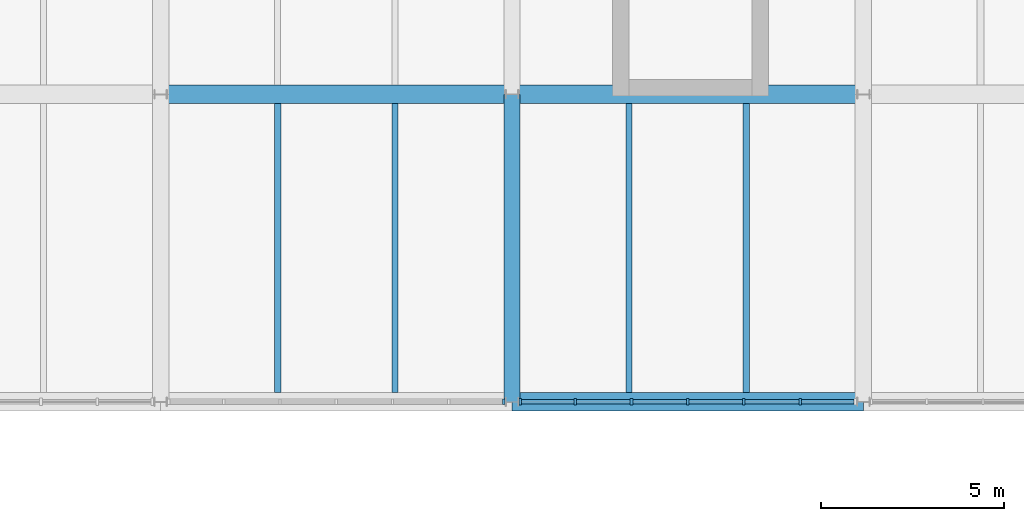
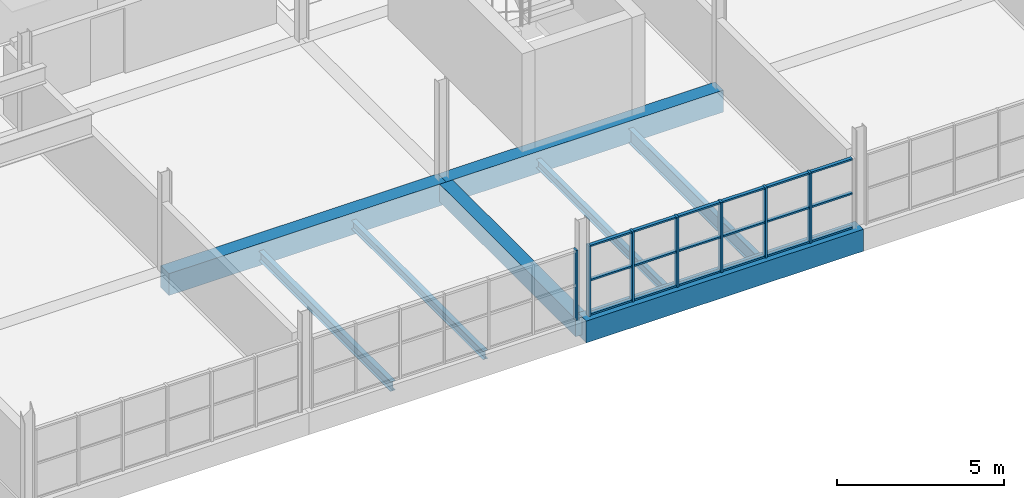
# One storey, part 42 of 147: 25 members, 8 beams, 2 elements without a shape of their own.
"""IFC4 building model written with IfcOpenShell, lengths in metres."""

from ifc_helpers import new_model, si_unit, direction, frame, origin, origin_2d, place, context, subcontext, project, spatial, rectangle, i_section, extrude, material, material_profile, profile_set, type_object, element, aggregate, save


model = new_model("IFC4")

# Units and contexts
model_context = context("Model", 3, precision=1e-05, world=origin(), true_north=direction((0.0, 1.0)))
body_context = subcontext(model_context, "Body", "Model", "MODEL_VIEW")
ifc_project = project(units=[si_unit("LENGTHUNIT", "METRE"), si_unit("AREAUNIT", "SQUARE_METRE"), si_unit("VOLUMEUNIT", "CUBIC_METRE"), si_unit("PLANEANGLEUNIT", "RADIAN"), si_unit("MASSUNIT", "GRAM", prefix="KILO")], contexts=[model_context])

# Site, building, storey
site_placement = place(None, origin())
site = spatial("IfcSite", under=ifc_project, at=site_placement, CompositionType="ELEMENT")
building_placement = place(site_placement, origin())
building = spatial("IfcBuilding", under=site, at=building_placement, Name="Oolite Switchyard Hospital", CompositionType="ELEMENT")
storey_placement = place(building_placement, frame((0.0, 0.0, 9.89990234375)))
storey = spatial("IfcBuildingStorey", under=building, at=storey_placement, Name="L02", CompositionType="ELEMENT", Elevation=9.89990234375)

# Beams
ifc_material_1 = material(Name="Concrete C40/50", Category="concrete")
ifc_material_profile_1 = material_profile(ifc_material_1, rectangle(XDim=0.449951171875, YDim=0.64990234375, at=origin_2d()), Name="RCB450X650")
ifc_profile_set_1 = profile_set([ifc_material_profile_1], Name="Concrete C40/50")
beam_type_1 = type_object("IfcBeamType", Name="BM-RC450X650", PredefinedType="BEAM", material=ifc_profile_set_1)
beam_1_placement = place(storey_placement, frame((86.39990234375, 84.0, -0.324951171875), z_axis=(0.0, 1.0, 0.0), x_axis=(-1.0, 0.0, 0.0)))
element("IfcBeam", 1, at=beam_1_placement, inside=storey, type_object=beam_type_1, Name="L02 Y-Girder 1373", PredefinedType="BEAM", context=body_context, shape_type="SweptSolid", body=[
    extrude(rectangle(XDim=0.449951171875, YDim=0.64990234375, at=origin_2d()), origin(), (0.0, 0.0, 1.0), 8.39990234375),
])
ifc_material_profile_2 = material_profile(ifc_material_1, rectangle(XDim=0.5, YDim=0.800048828125, at=origin_2d()), Name="RCB500X800")
ifc_profile_set_2 = profile_set([ifc_material_profile_2], Name="Concrete C40/50")
beam_type_2 = type_object("IfcBeamType", Name="BM-RC500X800", PredefinedType="BEAM", material=ifc_profile_set_2)
beam_2_placement = place(storey_placement, frame((86.39990234375, 84.0, -0.39990234375), z_axis=(1.0, 0.0, 0.0), x_axis=(0.0, 1.0, 0.0)))
element("IfcBeam", 2, at=beam_2_placement, inside=storey, type_object=beam_type_2, Name="L02 X-Girder 1133", PredefinedType="BEAM", context=body_context, shape_type="SweptSolid", body=[
    extrude(rectangle(XDim=0.5, YDim=0.800048828125, at=origin_2d()), origin(), (0.0, 0.0, 1.0), 9.60009765625),
])
beam_3_placement = place(storey_placement, frame((76.800048828125, 92.39990234375, -0.39990234375), z_axis=(1.0, 0.0, 0.0), x_axis=(0.0, 1.0, 0.0)))
element("IfcBeam", 3, at=beam_3_placement, inside=storey, type_object=beam_type_2, Name="L02 X-Girder 1150", PredefinedType="BEAM", context=body_context, shape_type="SweptSolid", body=[
    extrude(rectangle(XDim=0.5, YDim=0.800048828125, at=origin_2d()), origin(), (0.0, 0.0, 1.0), 9.599853515625),
])
beam_4_placement = place(storey_placement, frame((86.39990234375, 92.39990234375, -0.39990234375), z_axis=(1.0, 0.0, 0.0), x_axis=(0.0, 1.0, 0.0)))
element("IfcBeam", 4, at=beam_4_placement, inside=storey, type_object=beam_type_2, Name="L02 X-Girder 1151", PredefinedType="BEAM", context=body_context, shape_type="SweptSolid", body=[
    extrude(rectangle(XDim=0.5, YDim=0.800048828125, at=origin_2d()), origin(), (0.0, 0.0, 1.0), 9.60009765625),
])
ifc_material_2 = material(Name="Steel ASTM A992 Grade 50", Category="steel")
ifc_material_profile_3 = material_profile(ifc_material_2, i_section(OverallWidth=0.1650390625, OverallDepth=0.31005859375, WebThickness=0.006103515625, FlangeThickness=0.010009765625, at=origin_2d()), Name="W12X26")
ifc_profile_set_3 = profile_set([ifc_material_profile_3], Name="Steel ASTM A992 Grade 50")
beam_type_3 = type_object("IfcBeamType", Name="BM-W12X26", PredefinedType="JOIST", material=ifc_profile_set_3)
for number, where, z_axis, x_axis, name in (
    (5, (83.199951171875, 84.25, -0.414794921875), (0.0, 1.0, 0.0), (-1.0, 0.0, 0.0), "L02 Secondary Steel Joist 1711"),
    (6, (89.60009765625, 84.25, -0.414794921875), (0.0, 1.0, 0.0), (-1.0, 0.0, 0.0), "L02 Secondary Steel Joist 1716"),
):
    element("IfcBeam", number, at=place(storey_placement, frame(where, z_axis=z_axis, x_axis=x_axis)), inside=storey, type_object=beam_type_3, Name=name, PredefinedType="JOIST", context=body_context, shape_type="SweptSolid", body=[
        extrude(i_section(OverallWidth=0.1650390625, OverallDepth=0.31005859375, WebThickness=0.006103515625, FlangeThickness=0.010009765625, at=origin_2d()), origin(), (0.0, 0.0, 1.0), 7.89990234375),
    ])
ifc_material_profile_4 = material_profile(ifc_material_2, i_section(OverallWidth=0.1708984375, OverallDepth=0.35107421875, WebThickness=0.007080078125, FlangeThickness=0.010009765625, at=origin_2d()), Name="W14X30")
ifc_profile_set_4 = profile_set([ifc_material_profile_4], Name="Steel ASTM A992 Grade 50")
beam_type_4 = type_object("IfcBeamType", Name="BM-W14X30", PredefinedType="JOIST", material=ifc_profile_set_4)
beam_5_placement = place(storey_placement, frame((80.0, 84.25, -0.434814453125), z_axis=(0.0, 1.0, 0.0), x_axis=(-1.0, 0.0, 0.0)))
element("IfcBeam", 7, at=beam_5_placement, inside=storey, type_object=beam_type_4, Name="L02 Secondary Steel Joist 1710", PredefinedType="JOIST", context=body_context, shape_type="SweptSolid", body=[
    extrude(i_section(OverallWidth=0.1708984375, OverallDepth=0.35107421875, WebThickness=0.007080078125, FlangeThickness=0.010009765625, at=origin_2d()), origin(), (0.0, 0.0, 1.0), 7.89990234375),
])
ifc_material_profile_5 = material_profile(ifc_material_2, i_section(OverallWidth=0.166015625, OverallDepth=0.529052734375, WebThickness=0.010009765625, FlangeThickness=0.013916015625, at=origin_2d()), Name="W21X50")
ifc_profile_set_5 = profile_set([ifc_material_profile_5], Name="Steel ASTM A992 Grade 50")
beam_type_5 = type_object("IfcBeamType", Name="BM-W21X50", PredefinedType="JOIST", material=ifc_profile_set_5)
beam_6_placement = place(storey_placement, frame((92.800048828125, 84.25, -0.52392578125), z_axis=(0.0, 1.0, 0.0), x_axis=(-1.0, 0.0, 0.0)))
element("IfcBeam", 8, at=beam_6_placement, inside=storey, type_object=beam_type_5, Name="L02 Secondary Steel Joist 1717", PredefinedType="JOIST", context=body_context, shape_type="SweptSolid", body=[
    extrude(i_section(OverallWidth=0.166015625, OverallDepth=0.529052734375, WebThickness=0.010009765625, FlangeThickness=0.013916015625, at=origin_2d()), origin(), (0.0, 0.0, 1.0), 7.89990234375),
])

# Curtain wall, member
ifc_material_3 = material(Name="Thermally broken aluminum frame with laminated impact glazing", Category="aluminium")
curtain_wall_type = type_object("IfcCurtainWallType", Name="CW-UNIT-96X36", PredefinedType="USERDEFINED", material=ifc_material_3)
curtain_wall_1_placement = place(storey_placement, origin())
curtain_wall_1 = element("IfcCurtainWall", 9, at=curtain_wall_1_placement, inside=storey, type_object=curtain_wall_type, Name="L02 Unitised Curtain Wall 253", ObjectType="UNITISED", PredefinedType="USERDEFINED")
ifc_material_4 = material(Name="Aluminium 6063-T6", Category="aluminium")
ifc_material_profile_6 = material_profile(ifc_material_4, rectangle(XDim=0.159912109375, YDim=0.06005859375, at=origin_2d()), Name="CWM60X160")
ifc_profile_set_6 = profile_set([ifc_material_profile_6], Name="Aluminium 6063-T6")
member_type_1 = type_object("IfcMemberType", Name="CW-MUL-180", PredefinedType="MULLION", material=ifc_profile_set_6)
member_1_placement = place(storey_placement, frame((86.177001953125, 84.0, 0.0), z_axis=(0.0, 0.0, 1.0), x_axis=(0.0, -1.0, 0.0)))
member_1 = element("IfcMember", 10, at=member_1_placement, type_object=member_type_1, Name="CW-03 mullion 1", PredefinedType="MULLION", context=body_context, shape_type="SweptSolid", body=[
    extrude(rectangle(XDim=0.159912109375, YDim=0.06005859375, at=origin_2d()), origin(), (0.0, 0.0, 1.0), 2.570068359375),
])
aggregate(curtain_wall_1, [member_1])

# Curtain wall, members
curtain_wall_2_placement = place(storey_placement, origin())
curtain_wall_2 = element("IfcCurtainWall", 11, at=curtain_wall_2_placement, inside=storey, type_object=curtain_wall_type, Name="L02 Unitised Curtain Wall 254", ObjectType="UNITISED", PredefinedType="USERDEFINED")
ifc_material_profile_7 = material_profile(ifc_material_4, rectangle(XDim=0.179931640625, YDim=0.070068359375, at=origin_2d()), Name="CWM70X180")
ifc_profile_set_7 = profile_set([ifc_material_profile_7], Name="Aluminium 6063-T6")
member_type_2 = type_object("IfcMemberType", Name="CW-MUL-220", PredefinedType="MULLION", material=ifc_profile_set_7)
member_2_placement = place(storey_placement, frame((94.271240234375, 84.0, 0.0), z_axis=(0.0, 0.0, 1.0), x_axis=(0.0, -1.0, 0.0)))
member_2 = element("IfcMember", 12, at=member_2_placement, type_object=member_type_2, Name="CW-03 mullion 2", PredefinedType="MULLION", context=body_context, shape_type="SweptSolid", body=[
    extrude(rectangle(XDim=0.179931640625, YDim=0.070068359375, at=origin_2d()), origin(), (0.0, 0.0, 1.0), 2.570068359375),
])
member_3_placement = place(storey_placement, frame((92.735595703125, 84.0, 0.0), z_axis=(0.0, 0.0, 1.0), x_axis=(0.0, -1.0, 0.0)))
member_3 = element("IfcMember", 13, at=member_3_placement, type_object=member_type_2, Name="CW-03 mullion 3", PredefinedType="MULLION", context=body_context, shape_type="SweptSolid", body=[
    extrude(rectangle(XDim=0.179931640625, YDim=0.070068359375, at=origin_2d()), origin(), (0.0, 0.0, 1.0), 2.570068359375),
])
member_4_placement = place(storey_placement, frame((91.199951171875, 84.0, 0.0), z_axis=(0.0, 0.0, 1.0), x_axis=(0.0, -1.0, 0.0)))
member_4 = element("IfcMember", 14, at=member_4_placement, type_object=member_type_2, Name="CW-03 mullion 4", PredefinedType="MULLION", context=body_context, shape_type="SweptSolid", body=[
    extrude(rectangle(XDim=0.179931640625, YDim=0.070068359375, at=origin_2d()), origin(), (0.0, 0.0, 1.0), 2.570068359375),
])
member_5_placement = place(storey_placement, frame((89.664306640625, 84.0, 0.0), z_axis=(0.0, 0.0, 1.0), x_axis=(0.0, -1.0, 0.0)))
member_5 = element("IfcMember", 15, at=member_5_placement, type_object=member_type_2, Name="CW-03 mullion 5", PredefinedType="MULLION", context=body_context, shape_type="SweptSolid", body=[
    extrude(rectangle(XDim=0.179931640625, YDim=0.070068359375, at=origin_2d()), origin(), (0.0, 0.0, 1.0), 2.570068359375),
])
member_6_placement = place(storey_placement, frame((88.128662109375, 84.0, 0.0), z_axis=(0.0, 0.0, 1.0), x_axis=(0.0, -1.0, 0.0)))
member_6 = element("IfcMember", 16, at=member_6_placement, type_object=member_type_2, Name="CW-03 mullion 6", PredefinedType="MULLION", context=body_context, shape_type="SweptSolid", body=[
    extrude(rectangle(XDim=0.179931640625, YDim=0.070068359375, at=origin_2d()), origin(), (0.0, 0.0, 1.0), 2.570068359375),
])
member_7_placement = place(storey_placement, frame((86.6279296875, 84.0, 0.0), z_axis=(0.0, 0.0, 1.0), x_axis=(0.0, -1.0, 0.0)))
member_7 = element("IfcMember", 17, at=member_7_placement, type_object=member_type_2, Name="CW-03 mullion 7", PredefinedType="MULLION", context=body_context, shape_type="SweptSolid", body=[
    extrude(rectangle(XDim=0.179931640625, YDim=0.070068359375, at=origin_2d()), origin(), (0.0, 0.0, 1.0), 2.570068359375),
])
ifc_material_profile_8 = material_profile(ifc_material_4, rectangle(XDim=0.1201171875, YDim=0.06005859375, at=origin_2d()), Name="CWT60X120")
ifc_profile_set_8 = profile_set([ifc_material_profile_8], Name="Aluminium 6063-T6")
member_type_3 = type_object("IfcMemberType", Name="CW-TRN-150", PredefinedType="USERDEFINED", material=ifc_profile_set_8)
member_8_placement = place(storey_placement, frame((95.737060546875, 84.0, 0.030029296875), z_axis=(-1.0, 0.0, 0.0), x_axis=(0.0, -1.0, 0.0)))
member_8 = element("IfcMember", 18, at=member_8_placement, type_object=member_type_3, Name="CW-03 transom 1.1", ObjectType="TRANSOM", PredefinedType="USERDEFINED", context=body_context, shape_type="SweptSolid", body=[
    extrude(rectangle(XDim=0.1201171875, YDim=0.06005859375, at=origin_2d()), origin(), (0.0, 0.0, 1.0), 1.4306640625),
])
member_9_placement = place(storey_placement, frame((95.737060546875, 84.0, 1.28515625), z_axis=(-1.0, 0.0, 0.0), x_axis=(0.0, -1.0, 0.0)))
member_9 = element("IfcMember", 19, at=member_9_placement, type_object=member_type_3, Name="CW-03 transom 1.2", ObjectType="TRANSOM", PredefinedType="USERDEFINED", context=body_context, shape_type="SweptSolid", body=[
    extrude(rectangle(XDim=0.1201171875, YDim=0.06005859375, at=origin_2d()), origin(), (0.0, 0.0, 1.0), 1.4306640625),
])
member_10_placement = place(storey_placement, frame((95.737060546875, 84.0, 2.5400390625), z_axis=(-1.0, 0.0, 0.0), x_axis=(0.0, -1.0, 0.0)))
member_10 = element("IfcMember", 20, at=member_10_placement, type_object=member_type_3, Name="CW-03 transom 1.3", ObjectType="TRANSOM", PredefinedType="USERDEFINED", context=body_context, shape_type="SweptSolid", body=[
    extrude(rectangle(XDim=0.1201171875, YDim=0.06005859375, at=origin_2d()), origin(), (0.0, 0.0, 1.0), 1.4306640625),
])
member_11_placement = place(storey_placement, frame((94.236328125, 84.0, 0.030029296875), z_axis=(-1.0, 0.0, 0.0), x_axis=(0.0, -1.0, 0.0)))
member_11 = element("IfcMember", 21, at=member_11_placement, type_object=member_type_3, Name="CW-03 transom 2.1", ObjectType="TRANSOM", PredefinedType="USERDEFINED", context=body_context, shape_type="SweptSolid", body=[
    extrude(rectangle(XDim=0.1201171875, YDim=0.06005859375, at=origin_2d()), origin(), (0.0, 0.0, 1.0), 1.465576171875),
])
member_12_placement = place(storey_placement, frame((94.236328125, 84.0, 1.28515625), z_axis=(-1.0, 0.0, 0.0), x_axis=(0.0, -1.0, 0.0)))
member_12 = element("IfcMember", 22, at=member_12_placement, type_object=member_type_3, Name="CW-03 transom 2.2", ObjectType="TRANSOM", PredefinedType="USERDEFINED", context=body_context, shape_type="SweptSolid", body=[
    extrude(rectangle(XDim=0.1201171875, YDim=0.06005859375, at=origin_2d()), origin(), (0.0, 0.0, 1.0), 1.465576171875),
])
member_13_placement = place(storey_placement, frame((94.236328125, 84.0, 2.5400390625), z_axis=(-1.0, 0.0, 0.0), x_axis=(0.0, -1.0, 0.0)))
member_13 = element("IfcMember", 23, at=member_13_placement, type_object=member_type_3, Name="CW-03 transom 2.3", ObjectType="TRANSOM", PredefinedType="USERDEFINED", context=body_context, shape_type="SweptSolid", body=[
    extrude(rectangle(XDim=0.1201171875, YDim=0.06005859375, at=origin_2d()), origin(), (0.0, 0.0, 1.0), 1.465576171875),
])
member_14_placement = place(storey_placement, frame((92.70068359375, 84.0, 0.030029296875), z_axis=(-1.0, 0.0, 0.0), x_axis=(0.0, -1.0, 0.0)))
member_14 = element("IfcMember", 24, at=member_14_placement, type_object=member_type_3, Name="CW-03 transom 3.1", ObjectType="TRANSOM", PredefinedType="USERDEFINED", context=body_context, shape_type="SweptSolid", body=[
    extrude(rectangle(XDim=0.1201171875, YDim=0.06005859375, at=origin_2d()), origin(), (0.0, 0.0, 1.0), 1.465576171875),
])
member_15_placement = place(storey_placement, frame((92.70068359375, 84.0, 1.28515625), z_axis=(-1.0, 0.0, 0.0), x_axis=(0.0, -1.0, 0.0)))
member_15 = element("IfcMember", 25, at=member_15_placement, type_object=member_type_3, Name="CW-03 transom 3.2", ObjectType="TRANSOM", PredefinedType="USERDEFINED", context=body_context, shape_type="SweptSolid", body=[
    extrude(rectangle(XDim=0.1201171875, YDim=0.06005859375, at=origin_2d()), origin(), (0.0, 0.0, 1.0), 1.465576171875),
])
member_16_placement = place(storey_placement, frame((92.70068359375, 84.0, 2.5400390625), z_axis=(-1.0, 0.0, 0.0), x_axis=(0.0, -1.0, 0.0)))
member_16 = element("IfcMember", 26, at=member_16_placement, type_object=member_type_3, Name="CW-03 transom 3.3", ObjectType="TRANSOM", PredefinedType="USERDEFINED", context=body_context, shape_type="SweptSolid", body=[
    extrude(rectangle(XDim=0.1201171875, YDim=0.06005859375, at=origin_2d()), origin(), (0.0, 0.0, 1.0), 1.465576171875),
])
member_17_placement = place(storey_placement, frame((91.1650390625, 84.0, 0.030029296875), z_axis=(-1.0, 0.0, 0.0), x_axis=(0.0, -1.0, 0.0)))
member_17 = element("IfcMember", 27, at=member_17_placement, type_object=member_type_3, Name="CW-03 transom 4.1", ObjectType="TRANSOM", PredefinedType="USERDEFINED", context=body_context, shape_type="SweptSolid", body=[
    extrude(rectangle(XDim=0.1201171875, YDim=0.06005859375, at=origin_2d()), origin(), (0.0, 0.0, 1.0), 1.4658203125),
])
member_18_placement = place(storey_placement, frame((91.1650390625, 84.0, 1.28515625), z_axis=(-1.0, 0.0, 0.0), x_axis=(0.0, -1.0, 0.0)))
member_18 = element("IfcMember", 28, at=member_18_placement, type_object=member_type_3, Name="CW-03 transom 4.2", ObjectType="TRANSOM", PredefinedType="USERDEFINED", context=body_context, shape_type="SweptSolid", body=[
    extrude(rectangle(XDim=0.1201171875, YDim=0.06005859375, at=origin_2d()), origin(), (0.0, 0.0, 1.0), 1.4658203125),
])
member_19_placement = place(storey_placement, frame((91.1650390625, 84.0, 2.5400390625), z_axis=(-1.0, 0.0, 0.0), x_axis=(0.0, -1.0, 0.0)))
member_19 = element("IfcMember", 29, at=member_19_placement, type_object=member_type_3, Name="CW-03 transom 4.3", ObjectType="TRANSOM", PredefinedType="USERDEFINED", context=body_context, shape_type="SweptSolid", body=[
    extrude(rectangle(XDim=0.1201171875, YDim=0.06005859375, at=origin_2d()), origin(), (0.0, 0.0, 1.0), 1.4658203125),
])
member_20_placement = place(storey_placement, frame((89.62939453125, 84.0, 0.030029296875), z_axis=(-1.0, 0.0, 0.0), x_axis=(0.0, -1.0, 0.0)))
member_20 = element("IfcMember", 30, at=member_20_placement, type_object=member_type_3, Name="CW-03 transom 5.1", ObjectType="TRANSOM", PredefinedType="USERDEFINED", context=body_context, shape_type="SweptSolid", body=[
    extrude(rectangle(XDim=0.1201171875, YDim=0.06005859375, at=origin_2d()), origin(), (0.0, 0.0, 1.0), 1.4658203125),
])
member_21_placement = place(storey_placement, frame((89.62939453125, 84.0, 1.28515625), z_axis=(-1.0, 0.0, 0.0), x_axis=(0.0, -1.0, 0.0)))
member_21 = element("IfcMember", 31, at=member_21_placement, type_object=member_type_3, Name="CW-03 transom 5.2", ObjectType="TRANSOM", PredefinedType="USERDEFINED", context=body_context, shape_type="SweptSolid", body=[
    extrude(rectangle(XDim=0.1201171875, YDim=0.06005859375, at=origin_2d()), origin(), (0.0, 0.0, 1.0), 1.4658203125),
])
member_22_placement = place(storey_placement, frame((89.62939453125, 84.0, 2.5400390625), z_axis=(-1.0, 0.0, 0.0), x_axis=(0.0, -1.0, 0.0)))
member_22 = element("IfcMember", 32, at=member_22_placement, type_object=member_type_3, Name="CW-03 transom 5.3", ObjectType="TRANSOM", PredefinedType="USERDEFINED", context=body_context, shape_type="SweptSolid", body=[
    extrude(rectangle(XDim=0.1201171875, YDim=0.06005859375, at=origin_2d()), origin(), (0.0, 0.0, 1.0), 1.4658203125),
])
member_23_placement = place(storey_placement, frame((88.09375, 84.0, 0.030029296875), z_axis=(-1.0, 0.0, 0.0), x_axis=(0.0, -1.0, 0.0)))
member_23 = element("IfcMember", 33, at=member_23_placement, type_object=member_type_3, Name="CW-03 transom 6.1", ObjectType="TRANSOM", PredefinedType="USERDEFINED", context=body_context, shape_type="SweptSolid", body=[
    extrude(rectangle(XDim=0.1201171875, YDim=0.06005859375, at=origin_2d()), origin(), (0.0, 0.0, 1.0), 1.4306640625),
])
member_24_placement = place(storey_placement, frame((88.09375, 84.0, 1.28515625), z_axis=(-1.0, 0.0, 0.0), x_axis=(0.0, -1.0, 0.0)))
member_24 = element("IfcMember", 34, at=member_24_placement, type_object=member_type_3, Name="CW-03 transom 6.2", ObjectType="TRANSOM", PredefinedType="USERDEFINED", context=body_context, shape_type="SweptSolid", body=[
    extrude(rectangle(XDim=0.1201171875, YDim=0.06005859375, at=origin_2d()), origin(), (0.0, 0.0, 1.0), 1.4306640625),
])
member_25_placement = place(storey_placement, frame((88.09375, 84.0, 2.5400390625), z_axis=(-1.0, 0.0, 0.0), x_axis=(0.0, -1.0, 0.0)))
member_25 = element("IfcMember", 35, at=member_25_placement, type_object=member_type_3, Name="CW-03 transom 6.3", ObjectType="TRANSOM", PredefinedType="USERDEFINED", context=body_context, shape_type="SweptSolid", body=[
    extrude(rectangle(XDim=0.1201171875, YDim=0.06005859375, at=origin_2d()), origin(), (0.0, 0.0, 1.0), 1.4306640625),
])
aggregate(curtain_wall_2, [member_2, member_3, member_4, member_5, member_6, member_7, member_8, member_9, member_10, member_11, member_12, member_13, member_14, member_15, member_16, member_17, member_18, member_19, member_20, member_21, member_22, member_23, member_24, member_25])

save(model, "model.ifc")
